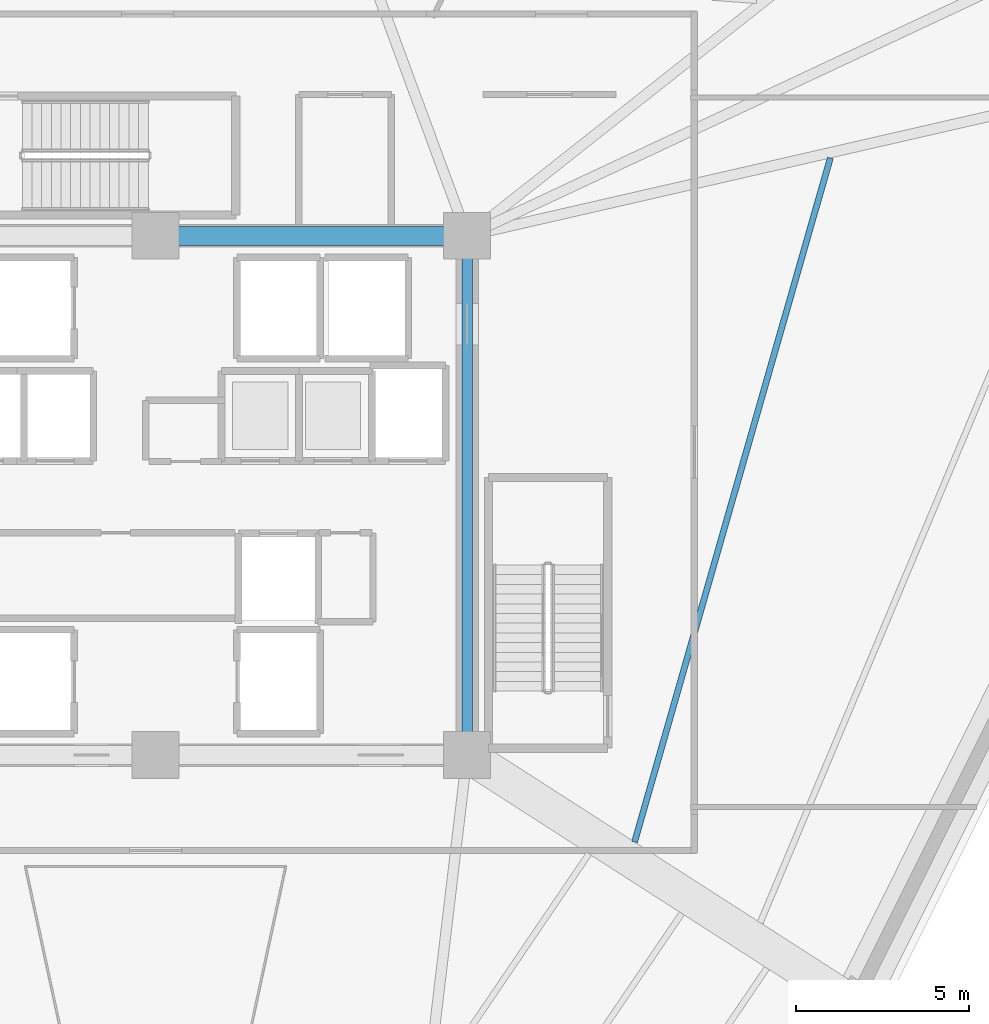
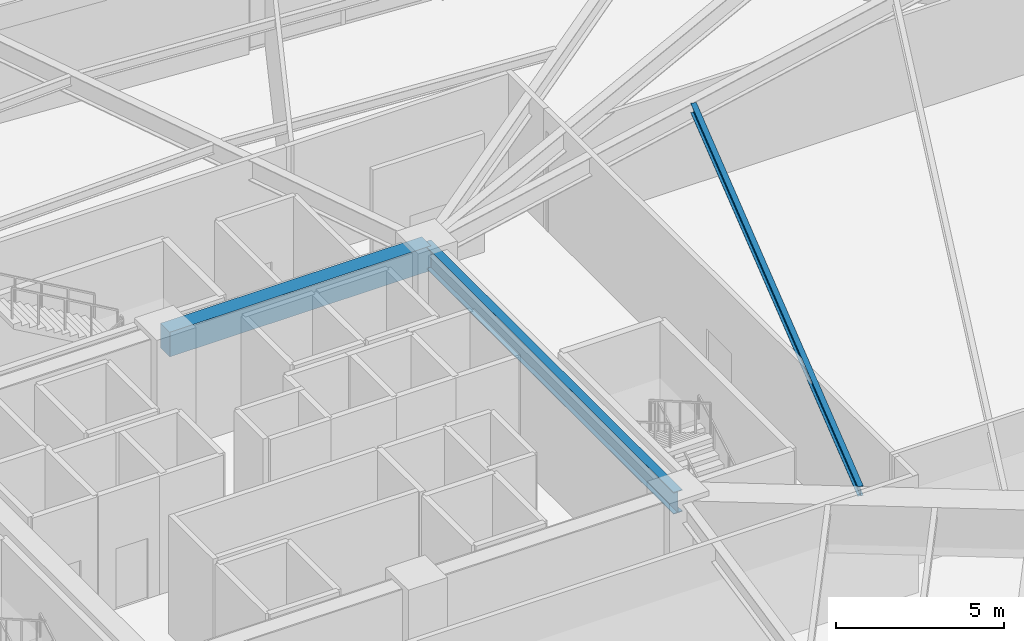
# One storey, part 21 of 39: 3 beams.
"""IFC4 building model written with IfcOpenShell, lengths in metres."""

from ifc_helpers import new_model, si_unit, direction, frame, origin, origin_2d, place, context, subcontext, project, spatial, rectangle, i_section, extrude, source, transform, mapped, material, material_profile, profile_set, type_object, element, save


model = new_model("IFC4")

# Units and contexts
model_context = context("Model", 3, precision=1e-05, world=origin(), true_north=direction((0.0, 1.0)))
body_context = subcontext(model_context, "Body", "Model", "MODEL_VIEW")
ifc_project = project(units=[si_unit("LENGTHUNIT", "METRE"), si_unit("AREAUNIT", "SQUARE_METRE"), si_unit("VOLUMEUNIT", "CUBIC_METRE"), si_unit("PLANEANGLEUNIT", "RADIAN"), si_unit("MASSUNIT", "GRAM", prefix="KILO")], contexts=[model_context])

# Site, building, storey
site_placement = place(None, origin())
site = spatial("IfcSite", under=ifc_project, at=site_placement, CompositionType="ELEMENT")
building_placement = place(site_placement, origin())
building = spatial("IfcBuilding", under=site, at=building_placement, Name="Liaohun Quay Tower", CompositionType="ELEMENT")
storey_placement = place(building_placement, frame((0.0, 0.0, 189.75)))
storey = spatial("IfcBuildingStorey", under=building, at=storey_placement, Name="L49", CompositionType="ELEMENT", Elevation=189.75)

# Beams
ifc_material_1 = material(Name="Steel Q355D", Category="steel")
ifc_material_profile_1 = material_profile(ifc_material_1, i_section(OverallWidth=0.300048828125, OverallDepth=0.800048828125, WebThickness=0.013916015625, FlangeThickness=0.02587890625, at=origin_2d()), Name="HN800x300x14x26")
ifc_profile_set_1 = profile_set([ifc_material_profile_1], Name="Steel Q355D")
beam_type_1 = type_object("IfcBeamType", Name="BM-RAD-M1", PredefinedType="BEAM", material=ifc_profile_set_1)
shared_shape_1 = source(origin(), body_context, "Body", "SweptSolid", [
    extrude(i_section(OverallWidth=0.300048828125, OverallDepth=0.800048828125, WebThickness=0.013916015625, FlangeThickness=0.02587890625, at=origin_2d()), origin(), (0.0, 0.0, 1.0), 15.0),
])
beam_1_placement = place(storey_placement, frame((69.0, 46.5, 3.919921875), z_axis=(0.0, 1.0, 0.0), x_axis=(-1.0, 0.0, 0.0)))
element("IfcBeam", 1, at=beam_1_placement, inside=storey, type_object=beam_type_1, Name="L49 Core Coupling/Ring Beam CC3-CC4", PredefinedType="BEAM", context=body_context, shape_type="MappedRepresentation", body=[
    mapped(shared_shape_1, transform((0.0, 0.0, 0.0), x_axis=(1.0, 0.0, 0.0), y_axis=(0.0, 1.0, 0.0), z_axis=(0.0, 0.0, 1.0), scale=1.0)),
])
ifc_material_2 = material(Name="Concrete C55", Category="concrete")
ifc_material_profile_2 = material_profile(ifc_material_2, rectangle(XDim=0.550048828125, YDim=0.89990234375, at=origin_2d()), Name="RC550x900")
ifc_profile_set_2 = profile_set([ifc_material_profile_2], Name="Concrete C55")
beam_type_2 = type_object("IfcBeamType", Name="BM-CPL-2", PredefinedType="LINTEL", material=ifc_profile_set_2)
shared_shape_2 = source(origin(), body_context, "Body", "SweptSolid", [
    extrude(rectangle(XDim=0.550048828125, YDim=0.89990234375, at=origin_2d()), origin(), (0.0, 0.0, 1.0), 9.0),
])
beam_2_placement = place(storey_placement, frame((69.0, 61.5, 3.8701171875), z_axis=(-1.0, 0.0, 0.0), x_axis=(0.0, -1.0, 0.0)))
element("IfcBeam", 2, at=beam_2_placement, inside=storey, type_object=beam_type_2, Name="L49 Core Coupling/Ring Beam CC4-CC5", PredefinedType="LINTEL", context=body_context, shape_type="MappedRepresentation", body=[
    mapped(shared_shape_2, transform((0.0, 0.0, 0.0), x_axis=(1.0, 0.0, 0.0), y_axis=(0.0, 1.0, 0.0), z_axis=(0.0, 0.0, 1.0), scale=1.0)),
])
ifc_material_profile_3 = material_profile(ifc_material_1, i_section(OverallWidth=0.175048828125, OverallDepth=0.35009765625, WebThickness=0.007080078125, FlangeThickness=0.010986328125, at=origin_2d()), Name="HN350x175x7x11")
ifc_profile_set_3 = profile_set([ifc_material_profile_3], Name="Steel Q355D")
beam_type_3 = type_object("IfcBeamType", Name="BM-SEC-J3", PredefinedType="JOIST", material=ifc_profile_set_3)
shared_shape_3 = source(origin(), body_context, "Body", "SweptSolid", [
    extrude(i_section(OverallWidth=0.175048828125, OverallDepth=0.35009765625, WebThickness=0.007080078125, FlangeThickness=0.010986328125, at=origin_2d()), origin(), (0.0, 0.0, 1.0), 20.554443359375),
])
beam_3_placement = place(storey_placement, frame((79.493896484375, 63.7490234375, 4.14501953125), z_axis=(-0.275171330914, -0.961395204192, 0.0), x_axis=(0.961395204192, -0.275171330914, 0.0)))
element("IfcBeam", 3, at=beam_3_placement, inside=storey, type_object=beam_type_3, Name="L49 Wing Secondary Floor Joist SJ-10", PredefinedType="JOIST", context=body_context, shape_type="MappedRepresentation", body=[
    mapped(shared_shape_3, transform((0.0, 0.0, 0.0), x_axis=(1.0, 0.0, 0.0), y_axis=(0.0, 1.0, 0.0), z_axis=(0.0, 0.0, 1.0), scale=1.0)),
])

save(model, "model.ifc")
